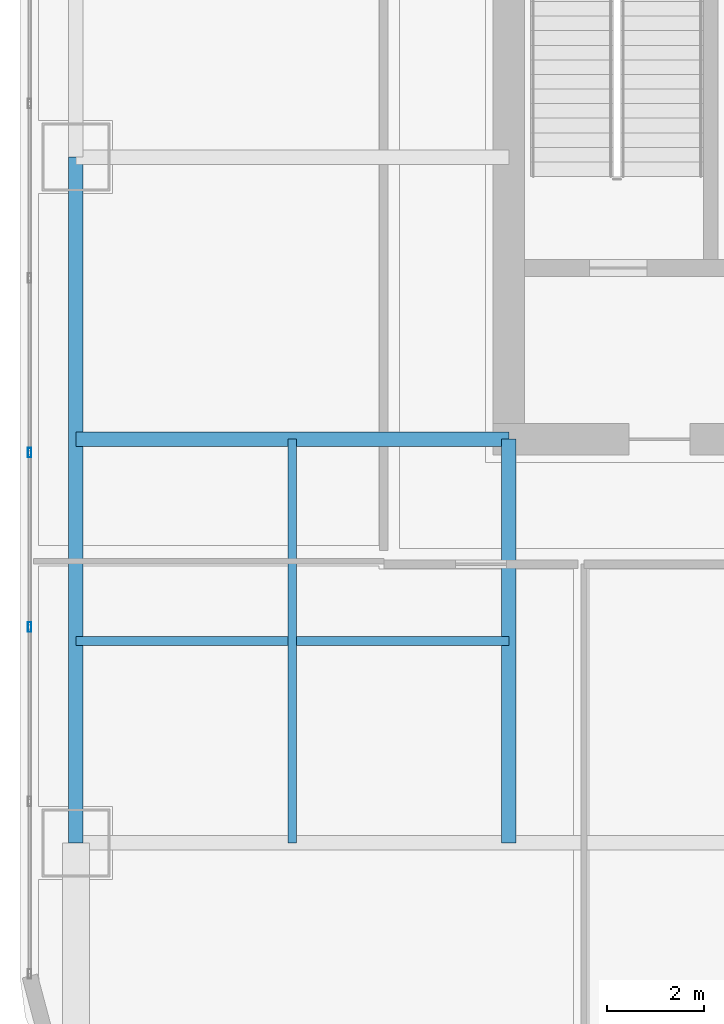
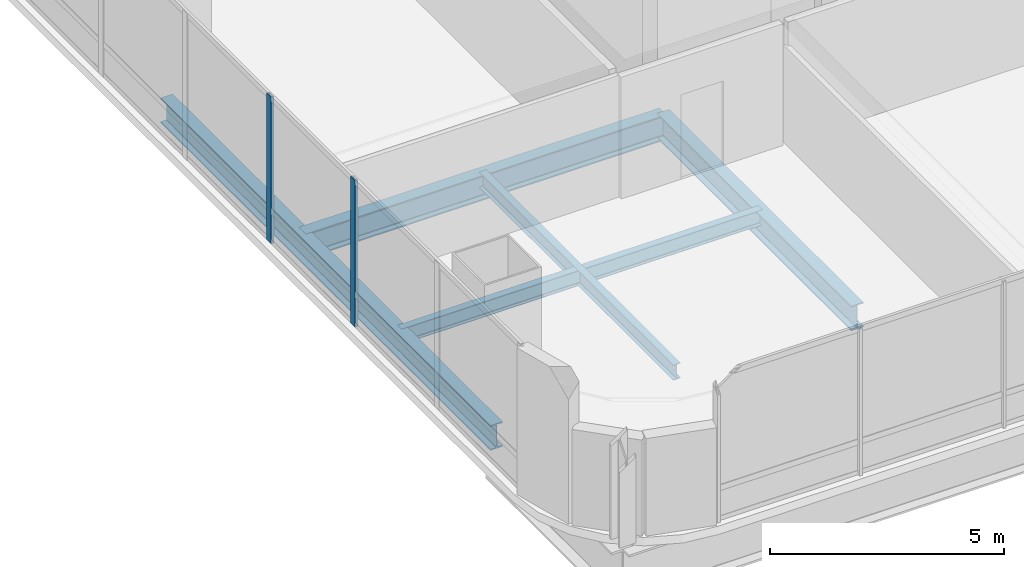
# One storey, part 4 of 36: 5 beams, 2 members, 1 element without a shape of its own.
"""IFC4 building model written with IfcOpenShell, lengths in metres."""

from ifc_helpers import new_model, si_unit, direction, frame, origin, origin_2d, place, context, subcontext, project, spatial, hollow_rectangle, i_section, extrude, material, material_profile, profile_set, type_object, element, aggregate, save


model = new_model("IFC4")

# Units and contexts
model_context = context("Model", 3, precision=1e-05, world=origin(), true_north=direction((0.0, 1.0)))
body_context = subcontext(model_context, "Body", "Model", "MODEL_VIEW")
ifc_project = project(units=[si_unit("LENGTHUNIT", "METRE"), si_unit("AREAUNIT", "SQUARE_METRE"), si_unit("VOLUMEUNIT", "CUBIC_METRE"), si_unit("PLANEANGLEUNIT", "RADIAN"), si_unit("MASSUNIT", "GRAM", prefix="KILO")], contexts=[model_context])

# Site, building, storey
site_placement = place(None, origin())
site = spatial("IfcSite", under=ifc_project, at=site_placement, CompositionType="ELEMENT")
building_placement = place(site_placement, origin())
building = spatial("IfcBuilding", under=site, at=building_placement, Name="Punatoya Terracotta Tower", CompositionType="ELEMENT")
storey_placement = place(building_placement, frame((0.0, 0.0, 228.89990234375)))
storey = spatial("IfcBuildingStorey", under=building, at=storey_placement, Name="L54", CompositionType="ELEMENT", Elevation=228.89990234375)

# Beams
ifc_material_1 = material(Name="Steel S355", Category="steel")
ifc_material_profile_1 = material_profile(ifc_material_1, i_section(OverallWidth=0.300048828125, OverallDepth=0.64990234375, WebThickness=0.01611328125, FlangeThickness=0.031005859375, FilletRadius=0.01806640625, at=origin_2d()))
ifc_profile_set_1 = profile_set([ifc_material_profile_1], Name="Steel S355")
beam_type_1 = type_object("IfcBeamType", Name="BM-PRI-650", PredefinedType="BEAM", material=ifc_profile_set_1)
beam_1_placement = place(storey_placement, frame((-19.10009765625, -17.5, -0.544921875), z_axis=(0.0, 1.0, 0.0), x_axis=(-1.0, 0.0, 0.0)))
element("IfcBeam", 1, at=beam_1_placement, inside=storey, type_object=beam_type_1, Name="BM-L54-RG-W1", PredefinedType="BEAM", context=body_context, shape_type="SweptSolid", body=[
    extrude(i_section(OverallWidth=0.300048828125, OverallDepth=0.64990234375, WebThickness=0.01611328125, FlangeThickness=0.031005859375, FilletRadius=0.01806640625, at=origin_2d()), origin(), (0.0, 0.0, 1.0), 14.10009765625),
])
beam_2_placement = place(storey_placement, frame((-19.10009765625, -9.199951171875, -0.544921875), z_axis=(1.0, 0.0, 0.0), x_axis=(0.0, 1.0, 0.0)))
element("IfcBeam", 2, at=beam_2_placement, inside=storey, type_object=beam_type_1, Name="BM-L54-PR-WS", PredefinedType="BEAM", context=body_context, shape_type="SweptSolid", body=[
    extrude(i_section(OverallWidth=0.300048828125, OverallDepth=0.64990234375, WebThickness=0.01611328125, FlangeThickness=0.031005859375, FilletRadius=0.01806640625, at=origin_2d()), origin(), (0.0, 0.0, 1.0), 8.900146484375),
])
beam_3_placement = place(storey_placement, frame((-10.199951171875, -17.5, -0.544921875), z_axis=(0.0, 1.0, 0.0), x_axis=(-1.0, 0.0, 0.0)))
element("IfcBeam", 3, at=beam_3_placement, inside=storey, type_object=beam_type_1, Name="BM-L54-PR-S1", PredefinedType="BEAM", context=body_context, shape_type="SweptSolid", body=[
    extrude(i_section(OverallWidth=0.300048828125, OverallDepth=0.64990234375, WebThickness=0.01611328125, FlangeThickness=0.031005859375, FilletRadius=0.01806640625, at=origin_2d()), origin(), (0.0, 0.0, 1.0), 8.300048828125),
])
ifc_material_profile_2 = material_profile(ifc_material_1, i_section(OverallWidth=0.179931640625, OverallDepth=0.39990234375, WebThickness=0.008544921875, FlangeThickness=0.013427734375, FilletRadius=0.01806640625, at=origin_2d()))
ifc_profile_set_2 = profile_set([ifc_material_profile_2], Name="Steel S355")
beam_type_2 = type_object("IfcBeamType", Name="BM-SEC-400", PredefinedType="JOIST", material=ifc_profile_set_2)
beam_4_placement = place(storey_placement, frame((-19.10009765625, -13.35009765625, -0.419921875), z_axis=(1.0, 0.0, 0.0), x_axis=(0.0, 1.0, 0.0)))
element("IfcBeam", 4, at=beam_4_placement, inside=storey, type_object=beam_type_2, Name="BM-L54-SJS-1", PredefinedType="JOIST", context=body_context, shape_type="SweptSolid", body=[
    extrude(i_section(OverallWidth=0.179931640625, OverallDepth=0.39990234375, WebThickness=0.008544921875, FlangeThickness=0.013427734375, FilletRadius=0.01806640625, at=origin_2d()), origin(), (0.0, 0.0, 1.0), 8.900146484375),
])
beam_5_placement = place(storey_placement, frame((-14.64990234375, -17.5, -0.419921875), z_axis=(0.0, 1.0, 0.0), x_axis=(-1.0, 0.0, 0.0)))
element("IfcBeam", 5, at=beam_5_placement, inside=storey, type_object=beam_type_2, Name="BM-L54-SJW-1", PredefinedType="JOIST", context=body_context, shape_type="SweptSolid", body=[
    extrude(i_section(OverallWidth=0.179931640625, OverallDepth=0.39990234375, WebThickness=0.008544921875, FlangeThickness=0.013427734375, FilletRadius=0.01806640625, at=origin_2d()), origin(), (0.0, 0.0, 1.0), 8.300048828125),
])

# Curtain wall, members
ifc_material_2 = material(Name="Aluminium 6063-T6 + Double Low-E Glass", Category="aluminium")
curtain_wall_type = type_object("IfcCurtainWallType", Name="CW-M2", PredefinedType="NOTDEFINED", material=ifc_material_2)
curtain_wall_placement = place(storey_placement, origin())
curtain_wall = element("IfcCurtainWall", 6, at=curtain_wall_placement, inside=storey, type_object=curtain_wall_type, Name="L54 Curtain Wall CW-L54-W11-1", PredefinedType="NOTDEFINED")
ifc_material_3 = material(Name="Aluminium 6063-T6", Category="aluminium")
ifc_material_profile_3 = material_profile(ifc_material_3, hollow_rectangle(XDim=0.072021484375, YDim=0.195068359375, WallThickness=0.00439453125, at=origin_2d()))
ifc_profile_set_3 = profile_set([ifc_material_profile_3], Name="Aluminium 6063-T6")
member_type = type_object("IfcMemberType", Name="CW-MUL-M2", PredefinedType="MULLION", material=ifc_profile_set_3)
member_1_placement = place(storey_placement, frame((-20.050048828125, -9.474609375, 0.0), z_axis=(0.0, 0.0, 1.0), x_axis=(1.0, 0.0, 0.0)))
member_1 = element("IfcMember", 7, at=member_1_placement, type_object=member_type, Name="CW-L54-W11-1 Mullion 06", PredefinedType="MULLION", context=body_context, shape_type="SweptSolid", body=[
    extrude(hollow_rectangle(XDim=0.072021484375, YDim=0.195068359375, WallThickness=0.00439453125, at=origin_2d()), origin(), (0.0, 0.0, 1.0), 3.830078125),
])
member_2_placement = place(storey_placement, frame((-20.050048828125, -13.06201171875, 0.0), z_axis=(0.0, 0.0, 1.0), x_axis=(1.0, 0.0, 0.0)))
member_2 = element("IfcMember", 8, at=member_2_placement, type_object=member_type, Name="CW-L54-W11-1 Mullion 07", PredefinedType="MULLION", context=body_context, shape_type="SweptSolid", body=[
    extrude(hollow_rectangle(XDim=0.072021484375, YDim=0.195068359375, WallThickness=0.00439453125, at=origin_2d()), origin(), (0.0, 0.0, 1.0), 3.830078125),
])
aggregate(curtain_wall, [member_1, member_2])

save(model, "model.ifc")
